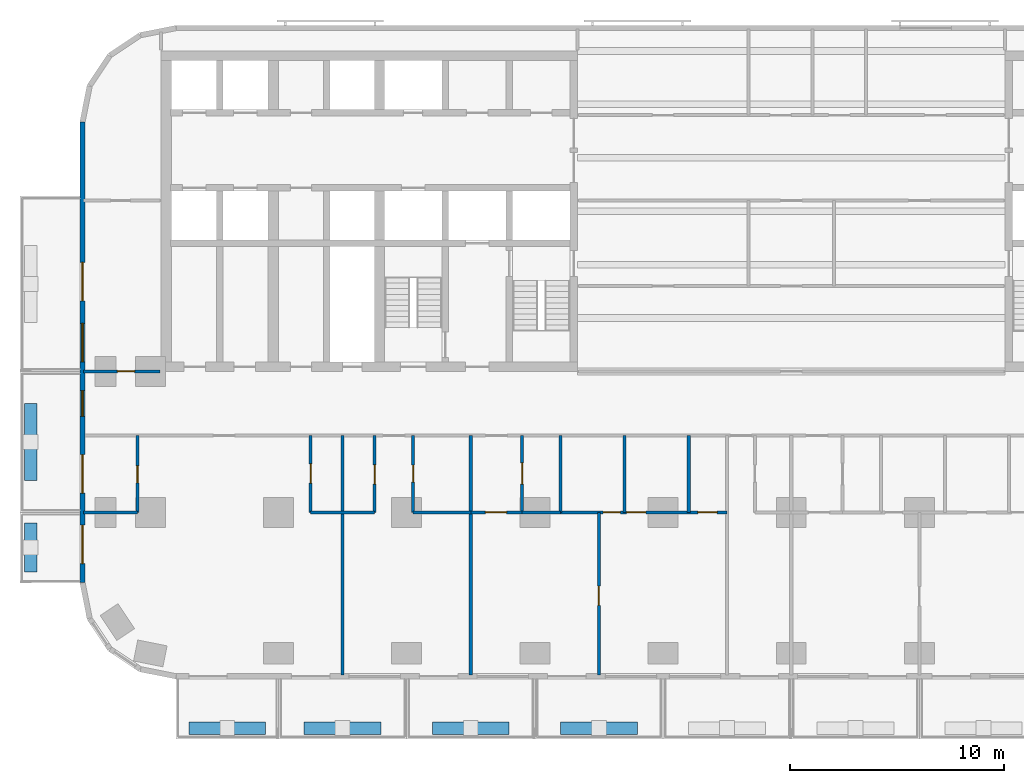
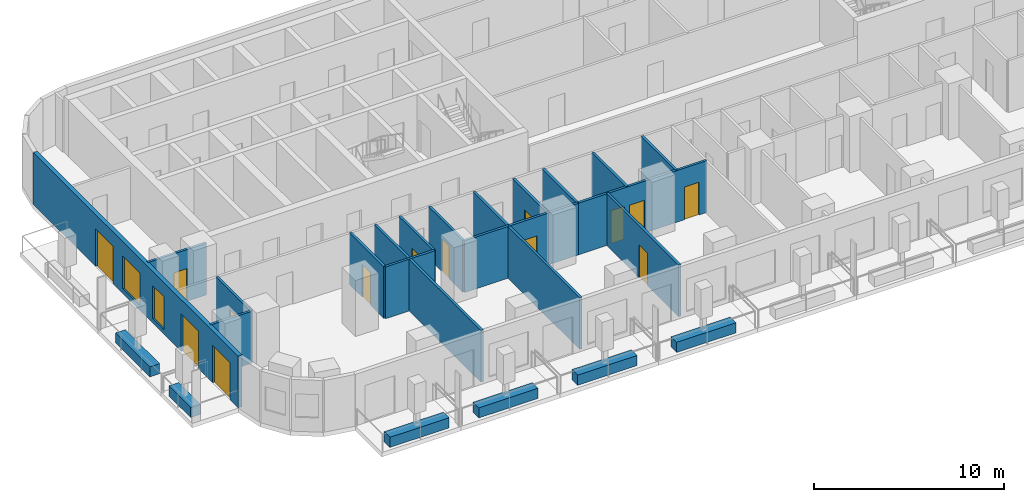
# One storey, part 2 of 14: 26 walls, 14 doors, 2 windows, 16 openings.
"""IFC4 building model written with IfcOpenShell, lengths in metres."""

from ifc_helpers import new_model, si_unit, direction, frame, frame_2d, origin, place, context, subcontext, project, spatial, rectangle, extrude, material, layer, layer_set, type_object, element, fill, save


model = new_model("IFC4")

# Units and contexts
model_context = context("Model", 3, precision=1e-05, world=origin(), true_north=direction((0.0, 1.0)))
body_context = subcontext(model_context, "Body", "Model", "MODEL_VIEW")
ifc_project = project(units=[si_unit("LENGTHUNIT", "METRE"), si_unit("AREAUNIT", "SQUARE_METRE"), si_unit("VOLUMEUNIT", "CUBIC_METRE"), si_unit("PLANEANGLEUNIT", "RADIAN"), si_unit("MASSUNIT", "GRAM", prefix="KILO")], contexts=[model_context])

# Site, building, storey
site_placement = place(None, origin())
site = spatial("IfcSite", under=ifc_project, at=site_placement, CompositionType="ELEMENT")
building_placement = place(site_placement, origin())
building = spatial("IfcBuilding", under=site, at=building_placement, Name="Torana Hotel and Residences", CompositionType="ELEMENT")
storey_placement = place(building_placement, frame((0.0, 0.0, 99.60009765625)))
storey = spatial("IfcBuildingStorey", under=building, at=storey_placement, Name="L25", CompositionType="ELEMENT", Elevation=99.60009765625)

# Wall, openings, doors, windows
ifc_material_1 = material(Name="Black aluminium composite panel", Category="aluminium")
ifc_layer_1 = layer(ifc_material_1, 0.00390625, Name="Cladding", Category="cladding")
ifc_material_2 = material(Name="Ventilated air cavity")
ifc_layer_2 = layer(ifc_material_2, 0.0400390625, Name="Ventilated cavity", Category="cavity")
ifc_material_3 = material(Name="Mineral wool insulation")
ifc_layer_3 = layer(ifc_material_3, 0.090087890625, Name="Insulation", Category="insulation")
ifc_material_4 = material(Name="Steel S280GD", Category="steel")
ifc_layer_4 = layer(ifc_material_4, 0.092041015625, Name="Steel stud frame", Category="structure")
ifc_material_5 = material(Name="Fire rated plasterboard")
ifc_layer_5 = layer(ifc_material_5, 0.011962890625, Name="Inner board", Category="finish")
ifc_layer_6 = layer(ifc_material_5, 0.011962890625, Name="Second board", Category="finish")
ifc_layer_set_1 = layer_set([ifc_layer_1, ifc_layer_2, ifc_layer_3, ifc_layer_4, ifc_layer_5, ifc_layer_6], Name="EW1 EXTERNAL WALL BLACK METAL CLAD 250")
wall_type_1 = type_object("IfcWallType", Name="EW1 EXTERNAL WALL BLACK METAL CLAD 250", PredefinedType="SOLIDWALL", material=ifc_layer_set_1)
wall_1_placement = place(storey_placement, frame((-33.175048828125, -3.32470703125, 0.0), z_axis=(0.0, 0.0, 1.0), x_axis=(0.0, -1.0, 0.0)))
wall_1 = element("IfcWall", 1, at=wall_1_placement, inside=storey, type_object=wall_type_1, Name="External wall L25 e0.9", PredefinedType="SOLIDWALL", context=body_context, shape_type="SweptSolid", body=[
    extrude(rectangle(XDim=21.55078125, YDim=0.25, at=frame_2d((10.775390625, 0.0))), origin(), (0.0, 0.0, 1.0), 3.31982421875),
])
opening_1_placement = place(wall_1_placement, frame((6.575439453125, 0.0, 0.0)))
opening_1 = element("IfcOpeningElement", 2, at=opening_1_placement, cuts=wall_1, Name="Opening L25-E14", PredefinedType="OPENING", context=body_context, shape_type="SweptSolid", body=[
    extrude(rectangle(XDim=1.800048828125, YDim=2.39990234375, at=frame_2d((0.89990234375, 1.199951171875))), frame((0.0, 0.135009765625, 0.0), z_axis=(0.0, -1.0, 0.0), x_axis=(1.0, 0.0, 0.0)), (0.0, 0.0, 1.0), 0.27001953125),
])
opening_2_placement = place(wall_1_placement, frame((9.42529296875, 0.0, 0.300048828125)))
opening_2 = element("IfcOpeningElement", 3, at=opening_2_placement, cuts=wall_1, Name="Opening W2", PredefinedType="OPENING", context=body_context, shape_type="SweptSolid", body=[
    extrude(rectangle(XDim=1.800048828125, YDim=2.10009765625, at=frame_2d((0.89990234375, 1.050048828125))), frame((0.0, 0.135009765625, 0.0), z_axis=(0.0, -1.0, 0.0), x_axis=(1.0, 0.0, 0.0)), (0.0, 0.0, 1.0), 0.27001953125),
])
opening_3_placement = place(wall_1_placement, frame((12.575439453125, 0.0, 0.300048828125)))
opening_3 = element("IfcOpeningElement", 4, at=opening_3_placement, cuts=wall_1, Name="Opening W7", PredefinedType="OPENING", context=body_context, shape_type="SweptSolid", body=[
    extrude(rectangle(XDim=1.199951171875, YDim=2.10009765625, at=frame_2d((0.60009765625, 1.050048828125))), frame((0.0, 0.135009765625, 0.0), z_axis=(0.0, -1.0, 0.0), x_axis=(1.0, 0.0, 0.0)), (0.0, 0.0, 1.0), 0.27001953125),
])
opening_4_placement = place(wall_1_placement, frame((15.575439453125, 0.0, 0.0)))
opening_4 = element("IfcOpeningElement", 5, at=opening_4_placement, cuts=wall_1, Name="Opening L25-E15", PredefinedType="OPENING", context=body_context, shape_type="SweptSolid", body=[
    extrude(rectangle(XDim=1.800048828125, YDim=2.39990234375, at=frame_2d((0.89990234375, 1.199951171875))), frame((0.0, 0.135009765625, 0.0), z_axis=(0.0, -1.0, 0.0), x_axis=(1.0, 0.0, 0.0)), (0.0, 0.0, 1.0), 0.27001953125),
])
opening_5_placement = place(wall_1_placement, frame((18.87548828125, 0.0, 0.0)))
opening_5 = element("IfcOpeningElement", 6, at=opening_5_placement, cuts=wall_1, Name="Opening L25-E16", PredefinedType="OPENING", context=body_context, shape_type="SweptSolid", body=[
    extrude(rectangle(XDim=1.800048828125, YDim=2.39990234375, at=frame_2d((0.89990234375, 1.199951171875))), frame((0.0, 0.135009765625, 0.0), z_axis=(0.0, -1.0, 0.0), x_axis=(1.0, 0.0, 0.0)), (0.0, 0.0, 1.0), 0.27001953125),
])
ifc_material_6 = material(Name="Dark glass in black aluminium frame", Category="aluminium")
door_type_1 = type_object("IfcDoorType", Name="DB1 BALCONY DOOR 1800x2400", OperationType="DOUBLE_DOOR_SINGLE_SWING", PredefinedType="DOOR", material=ifc_material_6)
door_1_placement = place(opening_1_placement, origin())
door_1 = element("IfcDoor", 7, at=door_1_placement, inside=storey, type_object=door_type_1, Name="Balcony door L25", OperationType="DOUBLE_DOOR_SINGLE_SWING", OverallHeight=2.39990234375, OverallWidth=1.800048828125, PredefinedType="DOOR", context=body_context, shape_type="SweptSolid", body=[
    extrude(rectangle(XDim=1.800048828125, YDim=2.39990234375, at=frame_2d((0.89990234375, 1.199951171875))), frame((0.0, 0.02490234375, 0.0), z_axis=(0.0, -1.0, 0.0), x_axis=(1.0, 0.0, 0.0)), (0.0, 0.0, 1.0), 0.050048828125),
])
fill(opening_1, door_1)
door_2_placement = place(opening_4_placement, origin())
door_2 = element("IfcDoor", 8, at=door_2_placement, inside=storey, type_object=door_type_1, Name="Balcony door L25", OperationType="DOUBLE_DOOR_SINGLE_SWING", OverallHeight=2.39990234375, OverallWidth=1.800048828125, PredefinedType="DOOR", context=body_context, shape_type="SweptSolid", body=[
    extrude(rectangle(XDim=1.800048828125, YDim=2.39990234375, at=frame_2d((0.89990234375, 1.199951171875))), frame((0.0, 0.02490234375, 0.0), z_axis=(0.0, -1.0, 0.0), x_axis=(1.0, 0.0, 0.0)), (0.0, 0.0, 1.0), 0.050048828125),
])
fill(opening_4, door_2)
door_3_placement = place(opening_5_placement, frame((0.89990234375, 0.0, 0.0), z_axis=(0.0, 0.0, 1.0), x_axis=(-1.0, 0.0, 0.0)))
door_3 = element("IfcDoor", 9, at=door_3_placement, inside=storey, type_object=door_type_1, Name="Balcony door L25", OperationType="DOUBLE_DOOR_SINGLE_SWING", OverallHeight=2.39990234375, OverallWidth=1.800048828125, PredefinedType="DOOR", context=body_context, shape_type="SweptSolid", body=[
    extrude(rectangle(XDim=1.800048828125, YDim=2.39990234375, at=frame_2d((0.0, 1.199951171875))), frame((0.0, -0.02490234375, 0.0), z_axis=(0.0, 1.0, 0.0), x_axis=(-1.0, 0.0, 0.0)), (0.0, 0.0, 1.0), 0.050048828125),
])
fill(opening_5, door_3)
ifc_material_7 = material(Name="Dark glass in black aluminium frame", Category="aluminium")
window_type_1 = type_object("IfcWindowType", Name="W2 HOTEL ROOM WINDOW NARROW 1800x2100", PartitioningType="SINGLE_PANEL", PredefinedType="WINDOW", material=ifc_material_7)
window_1_placement = place(opening_2_placement, origin())
window_1 = element("IfcWindow", 10, at=window_1_placement, inside=storey, type_object=window_type_1, Name="Window L25", OverallHeight=2.10009765625, OverallWidth=1.800048828125, PartitioningType="SINGLE_PANEL", PredefinedType="WINDOW", context=body_context, shape_type="SweptSolid", body=[
    extrude(rectangle(XDim=1.800048828125, YDim=2.10009765625, at=frame_2d((0.89990234375, 1.050048828125))), frame((0.0, 0.030029296875, 0.0), z_axis=(0.0, -1.0, 0.0), x_axis=(1.0, 0.0, 0.0)), (0.0, 0.0, 1.0), 0.06005859375),
])
fill(opening_2, window_1)
ifc_material_8 = material(Name="Dark glass in black aluminium frame", Category="aluminium")
window_type_2 = type_object("IfcWindowType", Name="W7 HOTEL CORRIDOR WINDOW 1200x2100", PartitioningType="SINGLE_PANEL", PredefinedType="WINDOW", material=ifc_material_8)
window_2_placement = place(opening_3_placement, origin())
window_2 = element("IfcWindow", 11, at=window_2_placement, inside=storey, type_object=window_type_2, Name="Window L25", OverallHeight=2.10009765625, OverallWidth=1.199951171875, PartitioningType="SINGLE_PANEL", PredefinedType="WINDOW", context=body_context, shape_type="SweptSolid", body=[
    extrude(rectangle(XDim=1.199951171875, YDim=2.10009765625, at=frame_2d((0.60009765625, 1.050048828125))), frame((0.0, 0.030029296875, 0.0), z_axis=(0.0, -1.0, 0.0), x_axis=(1.0, 0.0, 0.0)), (0.0, 0.0, 1.0), 0.06005859375),
])
fill(opening_3, window_2)

# Wall, opening, door
ifc_material_9 = material(Name="Gypsum plaster")
ifc_layer_7 = layer(ifc_material_9, 0.014892578125, Name="Plaster", Category="finish")
ifc_material_10 = material(Name="Concrete blockwork", Category="masonry")
ifc_layer_8 = layer(ifc_material_10, 0.1201171875, Name="Blockwork", Category="structure")
ifc_layer_9 = layer(ifc_material_9, 0.014892578125, Name="Plaster", Category="finish")
ifc_layer_set_2 = layer_set([ifc_layer_7, ifc_layer_8, ifc_layer_9], Name="FIRE PARTITION 150 BLOCKWORK")
wall_type_2 = type_object("IfcWallType", Name="FIRE PARTITION 150 BLOCKWORK", PredefinedType="PARTITIONING", material=ifc_layer_set_2)
wall_2_placement = place(storey_placement, frame((-12.60009765625, -21.60009765625, 0.0), z_axis=(0.0, 0.0, 1.0), x_axis=(0.0, 1.0, 0.0)))
wall_2 = element("IfcWall", 12, at=wall_2_placement, inside=storey, type_object=wall_type_2, Name="Partition L25", PredefinedType="PARTITIONING", context=body_context, shape_type="SweptSolid", body=[
    extrude(rectangle(XDim=3.60009765625, YDim=0.14990234375, at=frame_2d((1.800048828125, 0.0))), origin(), (0.0, 0.0, 1.0), 3.31982421875),
])
opening_6_placement = place(wall_2_placement, frame((1.320068359375, 0.0, 0.0)))
opening_6 = element("IfcOpeningElement", 13, at=opening_6_placement, cuts=wall_2, Name="Opening L25-53", PredefinedType="OPENING", context=body_context, shape_type="SweptSolid", body=[
    extrude(rectangle(XDim=1.0, YDim=2.10009765625, at=frame_2d((0.5, 1.050048828125))), frame((0.0, 0.0849609375, 0.0), z_axis=(0.0, -1.0, 0.0), x_axis=(1.0, 0.0, 0.0)), (0.0, 0.0, 1.0), 0.169921875),
])
ifc_material_11 = material(Name="Steel S235", Category="steel")
door_type_2 = type_object("IfcDoorType", Name="ENTRY FIRE DOOR D6 1000x2100", OperationType="SINGLE_SWING_LEFT", PredefinedType="DOOR", material=ifc_material_11)
door_4_placement = place(opening_6_placement, frame((0.5, 0.0, 0.0), z_axis=(0.0, 0.0, 1.0), x_axis=(-1.0, 0.0, 0.0)))
door_4 = element("IfcDoor", 14, at=door_4_placement, inside=storey, type_object=door_type_2, Name="Door L25", OperationType="SINGLE_SWING_LEFT", OverallHeight=2.10009765625, OverallWidth=1.0, PredefinedType="DOOR", context=body_context, shape_type="SweptSolid", body=[
    extrude(rectangle(XDim=1.0, YDim=2.10009765625, at=frame_2d((0.0, 1.050048828125))), frame((0.0, -0.02490234375, 0.0), z_axis=(0.0, 1.0, 0.0), x_axis=(-1.0, 0.0, 0.0)), (0.0, 0.0, 1.0), 0.050048828125),
])
fill(opening_6, door_4)

# Wall
wall_3_placement = place(storey_placement, frame((-15.0, -21.60009765625, 0.0), z_axis=(0.0, 0.0, 1.0), x_axis=(0.0, 1.0, 0.0)))
element("IfcWall", 15, at=wall_3_placement, inside=storey, type_object=wall_type_2, Name="Partition L25", PredefinedType="PARTITIONING", context=body_context, shape_type="SweptSolid", body=[
    extrude(rectangle(XDim=3.60009765625, YDim=0.14990234375, at=frame_2d((1.800048828125, 0.0))), origin(), (0.0, 0.0, 1.0), 3.31982421875),
])

# Wall, opening, door
wall_4_placement = place(storey_placement, frame((-15.0, -21.60009765625, 0.0), z_axis=(0.0, 0.0, 1.0), x_axis=(1.0, 0.0, 0.0)))
wall_4 = element("IfcWall", 16, at=wall_4_placement, inside=storey, type_object=wall_type_2, Name="Partition L25", PredefinedType="PARTITIONING", context=body_context, shape_type="SweptSolid", body=[
    extrude(rectangle(XDim=2.39990234375, YDim=0.14990234375, at=frame_2d((1.199951171875, 0.0))), origin(), (0.0, 0.0, 1.0), 3.31982421875),
])
opening_7_placement = place(wall_4_placement, frame((0.679931640625, 0.0, 0.0)))
opening_7 = element("IfcOpeningElement", 17, at=opening_7_placement, cuts=wall_4, Name="Opening L25-54", PredefinedType="OPENING", context=body_context, shape_type="SweptSolid", body=[
    extrude(rectangle(XDim=1.0, YDim=2.10009765625, at=frame_2d((0.5, 1.050048828125))), frame((0.0, 0.0849609375, 0.0), z_axis=(0.0, -1.0, 0.0), x_axis=(1.0, 0.0, 0.0)), (0.0, 0.0, 1.0), 0.169921875),
])
door_5_placement = place(opening_7_placement, frame((0.5, 0.0, 0.0), z_axis=(0.0, 0.0, 1.0), x_axis=(-1.0, 0.0, 0.0)))
door_5 = element("IfcDoor", 18, at=door_5_placement, inside=storey, type_object=door_type_2, Name="Door L25", OperationType="SINGLE_SWING_LEFT", OverallHeight=2.10009765625, OverallWidth=1.0, PredefinedType="DOOR", context=body_context, shape_type="SweptSolid", body=[
    extrude(rectangle(XDim=1.0, YDim=2.10009765625, at=frame_2d((0.0, 1.050048828125))), frame((0.0, -0.02490234375, 0.0), z_axis=(0.0, 1.0, 0.0), x_axis=(-1.0, 0.0, 0.0)), (0.0, 0.0, 1.0), 0.050048828125),
])
fill(opening_7, door_5)

wall_5_placement = place(storey_placement, frame((-33.1201171875, -15.0, 0.0), z_axis=(0.0, 0.0, 1.0), x_axis=(1.0, 0.0, 0.0)))
wall_5 = element("IfcWall", 19, at=wall_5_placement, inside=storey, type_object=wall_type_2, Name="Partition L25", PredefinedType="PARTITIONING", context=body_context, shape_type="SweptSolid", body=[
    extrude(rectangle(XDim=3.570068359375, YDim=0.14990234375, at=frame_2d((1.78515625, 0.0))), origin(), (0.0, 0.0, 1.0), 3.31982421875),
])
opening_8_placement = place(wall_5_placement, frame((1.580078125, 0.0, 0.0)))
opening_8 = element("IfcOpeningElement", 20, at=opening_8_placement, cuts=wall_5, Name="Opening L25-41", PredefinedType="OPENING", context=body_context, shape_type="SweptSolid", body=[
    extrude(rectangle(XDim=0.800048828125, YDim=2.10009765625, at=frame_2d((0.39990234375, 1.050048828125))), frame((0.0, 0.0849609375, 0.0), z_axis=(0.0, -1.0, 0.0), x_axis=(1.0, 0.0, 0.0)), (0.0, 0.0, 1.0), 0.169921875),
])
ifc_material_12 = material(Name="Steel S235", Category="steel")
door_type_3 = type_object("IfcDoorType", Name="STORE FIRE DOOR D16 800x2100", OperationType="SINGLE_SWING_LEFT", PredefinedType="DOOR", material=ifc_material_12)
door_6_placement = place(opening_8_placement, origin())
door_6 = element("IfcDoor", 21, at=door_6_placement, inside=storey, type_object=door_type_3, Name="Door L25", OperationType="SINGLE_SWING_RIGHT", OverallHeight=2.10009765625, OverallWidth=0.800048828125, PredefinedType="DOOR", context=body_context, shape_type="SweptSolid", body=[
    extrude(rectangle(XDim=0.800048828125, YDim=2.10009765625, at=frame_2d((0.39990234375, 1.050048828125))), frame((0.0, 0.02490234375, 0.0), z_axis=(0.0, -1.0, 0.0), x_axis=(1.0, 0.0, 0.0)), (0.0, 0.0, 1.0), 0.050048828125),
])
fill(opening_8, door_6)

# Walls
ifc_material_13 = material(Name="Gypsum plasterboard")
ifc_layer_10 = layer(ifc_material_13, 0.012451171875, Name="Plasterboard", Category="finish")
ifc_layer_11 = layer(ifc_material_13, 0.012451171875, Name="Plasterboard", Category="finish")
ifc_layer_12 = layer(ifc_material_4, 0.10009765625, Name="Steel studs with mineral wool", Category="insulation")
ifc_layer_13 = layer(ifc_material_13, 0.012451171875, Name="Plasterboard", Category="finish")
ifc_layer_14 = layer(ifc_material_13, 0.012451171875, Name="Plasterboard", Category="finish")
ifc_layer_set_3 = layer_set([ifc_layer_10, ifc_layer_11, ifc_layer_12, ifc_layer_13, ifc_layer_14], Name="PARTITION 150 PLASTERBOARD")
wall_type_3 = type_object("IfcWallType", Name="PARTITION 150 PLASTERBOARD", PredefinedType="PARTITIONING", material=ifc_layer_set_3)
for number, where, z_axis, x_axis, name in (
    (22, (-4.800048828125, -21.60009765625, 0.0), (0.0, 0.0, 1.0), (0.0, 1.0, 0.0), "Partition L25"),
    (23, (-7.800048828125, -21.60009765625, 0.0), (0.0, 0.0, 1.0), (0.0, 1.0, 0.0), "Partition L25"),
):
    element("IfcWall", number, at=place(storey_placement, frame(where, z_axis=z_axis, x_axis=x_axis)), inside=storey, type_object=wall_type_3, Name=name, PredefinedType="PARTITIONING", context=body_context, shape_type="SweptSolid", body=[
        extrude(rectangle(XDim=3.60009765625, YDim=0.14990234375, at=frame_2d((1.800048828125, 0.0))), origin(), (0.0, 0.0, 1.0), 3.31982421875),
    ])

# Wall, opening, door
wall_6_placement = place(storey_placement, frame((-9.0, -29.219970703125, 0.0), z_axis=(0.0, 0.0, 1.0), x_axis=(0.0, 1.0, 0.0)))
wall_6 = element("IfcWall", 24, at=wall_6_placement, inside=storey, type_object=wall_type_3, Name="Partition L25", PredefinedType="PARTITIONING", context=body_context, shape_type="SweptSolid", body=[
    extrude(rectangle(XDim=7.619873046875, YDim=0.14990234375, at=frame_2d((3.81005859375, 0.0))), origin(), (0.0, 0.0, 1.0), 3.31982421875),
])
opening_9_placement = place(wall_6_placement, frame((3.27001953125, 0.0, 0.0)))
opening_9 = element("IfcOpeningElement", 25, at=opening_9_placement, cuts=wall_6, Name="Opening L25-58", PredefinedType="OPENING", context=body_context, shape_type="SweptSolid", body=[
    extrude(rectangle(XDim=0.89990234375, YDim=2.10009765625, at=frame_2d((0.449951171875, 1.050048828125))), frame((0.0, 0.0849609375, 0.0), z_axis=(0.0, -1.0, 0.0), x_axis=(1.0, 0.0, 0.0)), (0.0, 0.0, 1.0), 0.169921875),
])
ifc_material_14 = material(Name="Timber door, oiled ash", Category="wood")
door_type_4 = type_object("IfcDoorType", Name="ROOM DOOR D7 900x2100", OperationType="SINGLE_SWING_LEFT", PredefinedType="DOOR", material=ifc_material_14)
door_7_placement = place(opening_9_placement, origin())
door_7 = element("IfcDoor", 26, at=door_7_placement, inside=storey, type_object=door_type_4, Name="Door L25", OperationType="SINGLE_SWING_RIGHT", OverallHeight=2.10009765625, OverallWidth=0.89990234375, PredefinedType="DOOR", context=body_context, shape_type="SweptSolid", body=[
    extrude(rectangle(XDim=0.89990234375, YDim=2.10009765625, at=frame_2d((0.449951171875, 1.050048828125))), frame((0.0, 0.02490234375, 0.0), z_axis=(0.0, -1.0, 0.0), x_axis=(1.0, 0.0, 0.0)), (0.0, 0.0, 1.0), 0.050048828125),
])
fill(opening_9, door_7)

# Wall
wall_7_placement = place(storey_placement, frame((-15.0, -29.219970703125, 0.0), z_axis=(0.0, 0.0, 1.0), x_axis=(0.0, 1.0, 0.0)))
element("IfcWall", 27, at=wall_7_placement, inside=storey, type_object=wall_type_3, Name="Partition L25", PredefinedType="PARTITIONING", context=body_context, shape_type="SweptSolid", body=[
    extrude(rectangle(XDim=7.619873046875, YDim=0.14990234375, at=frame_2d((3.81005859375, 0.0))), origin(), (0.0, 0.0, 1.0), 3.31982421875),
])

# Wall, opening, door
wall_8_placement = place(storey_placement, frame((-17.699951171875, -21.60009765625, 0.0), z_axis=(0.0, 0.0, 1.0), x_axis=(0.0, 1.0, 0.0)))
wall_8 = element("IfcWall", 28, at=wall_8_placement, inside=storey, type_object=wall_type_3, Name="Partition L25", PredefinedType="PARTITIONING", context=body_context, shape_type="SweptSolid", body=[
    extrude(rectangle(XDim=3.60009765625, YDim=0.14990234375, at=frame_2d((1.800048828125, 0.0))), origin(), (0.0, 0.0, 1.0), 3.31982421875),
])
opening_10_placement = place(wall_8_placement, frame((1.419921875, 0.0, 0.0)))
opening_10 = element("IfcOpeningElement", 29, at=opening_10_placement, cuts=wall_8, Name="Opening L25-52", PredefinedType="OPENING", context=body_context, shape_type="SweptSolid", body=[
    extrude(rectangle(XDim=0.800048828125, YDim=2.10009765625, at=frame_2d((0.39990234375, 1.050048828125))), frame((0.0, 0.0849609375, 0.0), z_axis=(0.0, -1.0, 0.0), x_axis=(1.0, 0.0, 0.0)), (0.0, 0.0, 1.0), 0.169921875),
])
ifc_material_15 = material(Name="Timber door, painted", Category="wood")
door_type_5 = type_object("IfcDoorType", Name="BATH DOOR D13 800x2100", OperationType="SINGLE_SWING_LEFT", PredefinedType="DOOR", material=ifc_material_15)
door_8_placement = place(opening_10_placement, origin())
door_8 = element("IfcDoor", 30, at=door_8_placement, inside=storey, type_object=door_type_5, Name="Door L25", OperationType="SINGLE_SWING_RIGHT", OverallHeight=2.10009765625, OverallWidth=0.800048828125, PredefinedType="DOOR", context=body_context, shape_type="SweptSolid", body=[
    extrude(rectangle(XDim=0.800048828125, YDim=2.10009765625, at=frame_2d((0.39990234375, 1.050048828125))), frame((0.0, 0.02490234375, 0.0), z_axis=(0.0, -1.0, 0.0), x_axis=(1.0, 0.0, 0.0)), (0.0, 0.0, 1.0), 0.050048828125),
])
fill(opening_10, door_8)

wall_9_placement = place(storey_placement, frame((-19.5, -21.60009765625, 0.0), z_axis=(0.0, 0.0, 1.0), x_axis=(0.0, 1.0, 0.0)))
wall_9 = element("IfcWall", 31, at=wall_9_placement, inside=storey, type_object=wall_type_3, Name="Partition L25", PredefinedType="PARTITIONING", context=body_context, shape_type="SweptSolid", body=[
    extrude(rectangle(XDim=3.60009765625, YDim=0.14990234375, at=frame_2d((1.800048828125, 0.0))), origin(), (0.0, 0.0, 1.0), 3.31982421875),
])
opening_11_placement = place(wall_9_placement, frame((1.330078125, 0.0, 0.0)))
opening_11 = element("IfcOpeningElement", 32, at=opening_11_placement, cuts=wall_9, Name="Opening L25-51", PredefinedType="OPENING", context=body_context, shape_type="SweptSolid", body=[
    extrude(rectangle(XDim=0.89990234375, YDim=2.10009765625, at=frame_2d((0.449951171875, 1.050048828125))), frame((0.0, 0.0849609375, 0.0), z_axis=(0.0, -1.0, 0.0), x_axis=(1.0, 0.0, 0.0)), (0.0, 0.0, 1.0), 0.169921875),
])
door_9_placement = place(opening_11_placement, origin())
door_9 = element("IfcDoor", 33, at=door_9_placement, inside=storey, type_object=door_type_4, Name="Door L25", OperationType="SINGLE_SWING_RIGHT", OverallHeight=2.10009765625, OverallWidth=0.89990234375, PredefinedType="DOOR", context=body_context, shape_type="SweptSolid", body=[
    extrude(rectangle(XDim=0.89990234375, YDim=2.10009765625, at=frame_2d((0.449951171875, 1.050048828125))), frame((0.0, 0.02490234375, 0.0), z_axis=(0.0, -1.0, 0.0), x_axis=(1.0, 0.0, 0.0)), (0.0, 0.0, 1.0), 0.050048828125),
])
fill(opening_11, door_9)

# Wall
wall_10_placement = place(storey_placement, frame((-21.0, -29.219970703125, 0.0), z_axis=(0.0, 0.0, 1.0), x_axis=(0.0, 1.0, 0.0)))
element("IfcWall", 34, at=wall_10_placement, inside=storey, type_object=wall_type_3, Name="Partition L25", PredefinedType="PARTITIONING", context=body_context, shape_type="SweptSolid", body=[
    extrude(rectangle(XDim=11.219970703125, YDim=0.14990234375, at=frame_2d((5.60986328125, 0.0))), origin(), (0.0, 0.0, 1.0), 3.31982421875),
])

# Wall, opening, door
wall_11_placement = place(storey_placement, frame((-22.5, -21.60009765625, 0.0), z_axis=(0.0, 0.0, 1.0), x_axis=(0.0, 1.0, 0.0)))
wall_11 = element("IfcWall", 35, at=wall_11_placement, inside=storey, type_object=wall_type_3, Name="Partition L25", PredefinedType="PARTITIONING", context=body_context, shape_type="SweptSolid", body=[
    extrude(rectangle(XDim=3.60009765625, YDim=0.14990234375, at=frame_2d((1.800048828125, 0.0))), origin(), (0.0, 0.0, 1.0), 3.31982421875),
])
opening_12_placement = place(wall_11_placement, frame((1.3701171875, 0.0, 0.0)))
opening_12 = element("IfcOpeningElement", 36, at=opening_12_placement, cuts=wall_11, Name="Opening L25-67", PredefinedType="OPENING", context=body_context, shape_type="SweptSolid", body=[
    extrude(rectangle(XDim=0.89990234375, YDim=2.10009765625, at=frame_2d((0.449951171875, 1.050048828125))), frame((0.0, 0.0849609375, 0.0), z_axis=(0.0, -1.0, 0.0), x_axis=(1.0, 0.0, 0.0)), (0.0, 0.0, 1.0), 0.169921875),
])
door_10_placement = place(opening_12_placement, origin())
door_10 = element("IfcDoor", 37, at=door_10_placement, inside=storey, type_object=door_type_4, Name="Door L25", OperationType="SINGLE_SWING_LEFT", OverallHeight=2.10009765625, OverallWidth=0.89990234375, PredefinedType="DOOR", context=body_context, shape_type="SweptSolid", body=[
    extrude(rectangle(XDim=0.89990234375, YDim=2.10009765625, at=frame_2d((0.449951171875, 1.050048828125))), frame((0.0, 0.02490234375, 0.0), z_axis=(0.0, -1.0, 0.0), x_axis=(1.0, 0.0, 0.0)), (0.0, 0.0, 1.0), 0.050048828125),
])
fill(opening_12, door_10)

wall_12_placement = place(storey_placement, frame((-30.60009765625, -21.60009765625, 0.0), z_axis=(0.0, 0.0, 1.0), x_axis=(0.0, 1.0, 0.0)))
wall_12 = element("IfcWall", 38, at=wall_12_placement, inside=storey, type_object=wall_type_3, Name="Partition L25", PredefinedType="PARTITIONING", context=body_context, shape_type="SweptSolid", body=[
    extrude(rectangle(XDim=3.60009765625, YDim=0.14990234375, at=frame_2d((1.800048828125, 0.0))), origin(), (0.0, 0.0, 1.0), 3.31982421875),
])
opening_13_placement = place(wall_12_placement, frame((1.3798828125, 0.0, 0.0)))
opening_13 = element("IfcOpeningElement", 39, at=opening_13_placement, cuts=wall_12, Name="Opening L25-68", PredefinedType="OPENING", context=body_context, shape_type="SweptSolid", body=[
    extrude(rectangle(XDim=0.800048828125, YDim=2.10009765625, at=frame_2d((0.39990234375, 1.050048828125))), frame((0.0, 0.0849609375, 0.0), z_axis=(0.0, -1.0, 0.0), x_axis=(1.0, 0.0, 0.0)), (0.0, 0.0, 1.0), 0.169921875),
])
door_11_placement = place(opening_13_placement, origin())
door_11 = element("IfcDoor", 40, at=door_11_placement, inside=storey, type_object=door_type_5, Name="Door L25", OperationType="SINGLE_SWING_RIGHT", OverallHeight=2.10009765625, OverallWidth=0.800048828125, PredefinedType="DOOR", context=body_context, shape_type="SweptSolid", body=[
    extrude(rectangle(XDim=0.800048828125, YDim=2.10009765625, at=frame_2d((0.39990234375, 1.050048828125))), frame((0.0, 0.02490234375, 0.0), z_axis=(0.0, -1.0, 0.0), x_axis=(1.0, 0.0, 0.0)), (0.0, 0.0, 1.0), 0.050048828125),
])
fill(opening_13, door_11)

# Walls
wall_13_placement = place(storey_placement, frame((-33.1201171875, -21.60009765625, 0.0), z_axis=(0.0, 0.0, 1.0), x_axis=(1.0, 0.0, 0.0)))
element("IfcWall", 41, at=wall_13_placement, inside=storey, type_object=wall_type_3, Name="Partition L25", PredefinedType="PARTITIONING", context=body_context, shape_type="SweptSolid", body=[
    extrude(rectangle(XDim=2.52001953125, YDim=0.14990234375, at=frame_2d((1.260009765625, 0.0))), origin(), (0.0, 0.0, 1.0), 3.31982421875),
])
wall_14_placement = place(storey_placement, frame((-22.5, -21.60009765625, 0.0), z_axis=(0.0, 0.0, 1.0), x_axis=(1.0, 0.0, 0.0)))
element("IfcWall", 42, at=wall_14_placement, inside=storey, type_object=wall_type_3, Name="Partition L25", PredefinedType="PARTITIONING", context=body_context, shape_type="SweptSolid", body=[
    extrude(rectangle(XDim=3.0, YDim=0.14990234375, at=frame_2d((1.5, 0.0))), origin(), (0.0, 0.0, 1.0), 3.31982421875),
])
wall_15_placement = place(storey_placement, frame((-17.699951171875, -21.60009765625, 0.0), z_axis=(0.0, 0.0, 1.0), x_axis=(1.0, 0.0, 0.0)))
element("IfcWall", 43, at=wall_15_placement, inside=storey, type_object=wall_type_3, Name="Partition L25", PredefinedType="PARTITIONING", context=body_context, shape_type="SweptSolid", body=[
    extrude(rectangle(XDim=2.699951171875, YDim=0.14990234375, at=frame_2d((1.35009765625, 0.0))), origin(), (0.0, 0.0, 1.0), 3.31982421875),
])

# Wall, openings, doors
wall_16_placement = place(storey_placement, frame((-10.800048828125, -21.60009765625, 0.0), z_axis=(0.0, 0.0, 1.0), x_axis=(1.0, 0.0, 0.0)))
wall_16 = element("IfcWall", 44, at=wall_16_placement, inside=storey, type_object=wall_type_3, Name="Partition L25", PredefinedType="PARTITIONING", context=body_context, shape_type="SweptSolid", body=[
    extrude(rectangle(XDim=7.800048828125, YDim=0.14990234375, at=frame_2d((3.89990234375, 0.0))), origin(), (0.0, 0.0, 1.0), 3.31982421875),
])
opening_14_placement = place(wall_16_placement, frame((1.9990234375, 0.0, 0.0)))
opening_14 = element("IfcOpeningElement", 45, at=opening_14_placement, cuts=wall_16, Name="Opening L25-55", PredefinedType="OPENING", context=body_context, shape_type="SweptSolid", body=[
    extrude(rectangle(XDim=0.800048828125, YDim=2.10009765625, at=frame_2d((0.39990234375, 1.050048828125))), frame((0.0, 0.0849609375, 0.0), z_axis=(0.0, -1.0, 0.0), x_axis=(1.0, 0.0, 0.0)), (0.0, 0.0, 1.0), 0.169921875),
])
opening_15_placement = place(wall_16_placement, frame((3.10009765625, 0.0, 0.0)))
opening_15 = element("IfcOpeningElement", 46, at=opening_15_placement, cuts=wall_16, Name="Opening L25-56", PredefinedType="OPENING", context=body_context, shape_type="SweptSolid", body=[
    extrude(rectangle(XDim=0.89990234375, YDim=2.10009765625, at=frame_2d((0.449951171875, 1.050048828125))), frame((0.0, 0.0849609375, 0.0), z_axis=(0.0, -1.0, 0.0), x_axis=(1.0, 0.0, 0.0)), (0.0, 0.0, 1.0), 0.169921875),
])
opening_16_placement = place(wall_16_placement, frame((6.429931640625, 0.0, 0.0)))
opening_16 = element("IfcOpeningElement", 47, at=opening_16_placement, cuts=wall_16, Name="Opening L25-57", PredefinedType="OPENING", context=body_context, shape_type="SweptSolid", body=[
    extrude(rectangle(XDim=0.89990234375, YDim=2.10009765625, at=frame_2d((0.449951171875, 1.050048828125))), frame((0.0, 0.0849609375, 0.0), z_axis=(0.0, -1.0, 0.0), x_axis=(1.0, 0.0, 0.0)), (0.0, 0.0, 1.0), 0.169921875),
])
door_12_placement = place(opening_14_placement, origin())
door_12 = element("IfcDoor", 48, at=door_12_placement, inside=storey, type_object=door_type_5, Name="Door L25", OperationType="SINGLE_SWING_LEFT", OverallHeight=2.10009765625, OverallWidth=0.800048828125, PredefinedType="DOOR", context=body_context, shape_type="SweptSolid", body=[
    extrude(rectangle(XDim=0.800048828125, YDim=2.10009765625, at=frame_2d((0.39990234375, 1.050048828125))), frame((0.0, 0.02490234375, 0.0), z_axis=(0.0, -1.0, 0.0), x_axis=(1.0, 0.0, 0.0)), (0.0, 0.0, 1.0), 0.050048828125),
])
fill(opening_14, door_12)
door_13_placement = place(opening_15_placement, frame((0.449951171875, 0.0, 0.0), z_axis=(0.0, 0.0, 1.0), x_axis=(-1.0, 0.0, 0.0)))
door_13 = element("IfcDoor", 49, at=door_13_placement, inside=storey, type_object=door_type_4, Name="Door L25", OperationType="SINGLE_SWING_RIGHT", OverallHeight=2.10009765625, OverallWidth=0.89990234375, PredefinedType="DOOR", context=body_context, shape_type="SweptSolid", body=[
    extrude(rectangle(XDim=0.89990234375, YDim=2.10009765625, at=frame_2d((0.0, 1.050048828125))), frame((0.0, -0.02490234375, 0.0), z_axis=(0.0, 1.0, 0.0), x_axis=(-1.0, 0.0, 0.0)), (0.0, 0.0, 1.0), 0.050048828125),
])
fill(opening_15, door_13)
door_14_placement = place(opening_16_placement, origin())
door_14 = element("IfcDoor", 50, at=door_14_placement, inside=storey, type_object=door_type_4, Name="Door L25", OperationType="SINGLE_SWING_RIGHT", OverallHeight=2.10009765625, OverallWidth=0.89990234375, PredefinedType="DOOR", context=body_context, shape_type="SweptSolid", body=[
    extrude(rectangle(XDim=0.89990234375, YDim=2.10009765625, at=frame_2d((0.449951171875, 1.050048828125))), frame((0.0, 0.02490234375, 0.0), z_axis=(0.0, -1.0, 0.0), x_axis=(1.0, 0.0, 0.0)), (0.0, 0.0, 1.0), 0.050048828125),
])
fill(opening_16, door_14)

# Walls
ifc_material_16 = material(Name="Concrete C40/50 precast", Category="concrete")
ifc_layer_15 = layer(ifc_material_16, 0.10009765625, Name="Planter shell", Category="structure")
ifc_material_17 = material(Name="Root resistant membrane")
ifc_layer_16 = layer(ifc_material_17, 0.00390625, Name="Waterproofing membrane", Category="membrane")
ifc_material_18 = material(Name="Drainage board with filter fleece")
ifc_layer_17 = layer(ifc_material_18, 0.02001953125, Name="Drainage board", Category="drainage")
ifc_material_19 = material(Name="Growing medium")
ifc_layer_18 = layer(ifc_material_19, 0.47607421875, Name="Planting substrate", Category="soil")
ifc_layer_set_4 = layer_set([ifc_layer_15, ifc_layer_16, ifc_layer_17, ifc_layer_18], Name="PL1 BALCONY PLANTER 600")
wall_type_4 = type_object("IfcWallType", Name="PL1 BALCONY PLANTER 600", PredefinedType="USERDEFINED", material=ifc_layer_set_4)
wall_17_placement = place(storey_placement, frame((-24.60009765625, -31.699951171875, 0.0), z_axis=(0.0, 0.0, 1.0), x_axis=(-1.0, 0.0, 0.0)))
element("IfcWall", 51, at=wall_17_placement, inside=storey, type_object=wall_type_4, Name="Planter 01", ObjectType="PLANTER", PredefinedType="USERDEFINED", context=body_context, shape_type="SweptSolid", body=[
    extrude(rectangle(XDim=3.599853515625, YDim=0.60009765625, at=frame_2d((1.7998046875, 0.0))), origin(), (0.0, 0.0, 1.0), 0.64990234375),
])
for number, where, z_axis, x_axis, name in (
    (52, (-19.199951171875, -31.699951171875, 0.0), (0.0, 0.0, 1.0), (-1.0, 0.0, 0.0), "Planter 02"),
    (53, (-13.199951171875, -31.699951171875, 0.0), (0.0, 0.0, 1.0), (-1.0, 0.0, 0.0), "Planter 03"),
    (54, (-7.199951171875, -31.699951171875, 0.0), (0.0, 0.0, 1.0), (-1.0, 0.0, 0.0), "Planter 04"),
):
    element("IfcWall", number, at=place(storey_placement, frame(where, z_axis=z_axis, x_axis=x_axis)), inside=storey, type_object=wall_type_4, Name=name, ObjectType="PLANTER", PredefinedType="USERDEFINED", context=body_context, shape_type="SweptSolid", body=[
        extrude(rectangle(XDim=3.60009765625, YDim=0.60009765625, at=frame_2d((1.800048828125, 0.0))), origin(), (0.0, 0.0, 1.0), 0.64990234375),
    ])
wall_18_placement = place(storey_placement, frame((-35.60009765625, -24.39990234375, 0.0), z_axis=(0.0, 0.0, 1.0), x_axis=(0.0, 1.0, 0.0)))
element("IfcWall", 55, at=wall_18_placement, inside=storey, type_object=wall_type_4, Name="Planter 11", ObjectType="PLANTER", PredefinedType="USERDEFINED", context=body_context, shape_type="SweptSolid", body=[
    extrude(rectangle(XDim=2.2998046875, YDim=0.60009765625, at=frame_2d((1.14990234375, 0.0))), origin(), (0.0, 0.0, 1.0), 0.64990234375),
])
wall_19_placement = place(storey_placement, frame((-35.60009765625, -20.10009765625, 0.0), z_axis=(0.0, 0.0, 1.0), x_axis=(0.0, 1.0, 0.0)))
element("IfcWall", 56, at=wall_19_placement, inside=storey, type_object=wall_type_4, Name="Planter 12", ObjectType="PLANTER", PredefinedType="USERDEFINED", context=body_context, shape_type="SweptSolid", body=[
    extrude(rectangle(XDim=3.60009765625, YDim=0.60009765625, at=frame_2d((1.800048828125, 0.0))), origin(), (0.0, 0.0, 1.0), 0.64990234375),
])
ifc_material_20 = material(Name="Ceramic tile on adhesive")
ifc_layer_19 = layer(ifc_material_20, 0.010009765625, Name="Wall tile", Category="finish")
ifc_material_21 = material(Name="Cement render")
ifc_layer_20 = layer(ifc_material_21, 0.010009765625, Name="Render", Category="finish")
ifc_layer_21 = layer(ifc_material_10, 0.110107421875, Name="Blockwork", Category="structure")
ifc_layer_22 = layer(ifc_material_21, 0.010009765625, Name="Render", Category="finish")
ifc_layer_23 = layer(ifc_material_20, 0.010009765625, Name="Wall tile", Category="finish")
ifc_layer_set_5 = layer_set([ifc_layer_19, ifc_layer_20, ifc_layer_21, ifc_layer_22, ifc_layer_23], Name="WC PARTITION 150")
wall_type_5 = type_object("IfcWallType", Name="WC PARTITION 150", PredefinedType="PLUMBINGWALL", material=ifc_layer_set_5)
wall_20_placement = place(storey_placement, frame((-10.800048828125, -21.60009765625, 0.0), z_axis=(0.0, 0.0, 1.0), x_axis=(0.0, 1.0, 0.0)))
element("IfcWall", 57, at=wall_20_placement, inside=storey, type_object=wall_type_5, Name="Partition L25", PredefinedType="PLUMBINGWALL", context=body_context, shape_type="SweptSolid", body=[
    extrude(rectangle(XDim=3.60009765625, YDim=0.14990234375, at=frame_2d((1.800048828125, 0.0))), origin(), (0.0, 0.0, 1.0), 3.31982421875),
])
wall_21_placement = place(storey_placement, frame((-12.60009765625, -21.60009765625, 0.0), z_axis=(0.0, 0.0, 1.0), x_axis=(1.0, 0.0, 0.0)))
element("IfcWall", 58, at=wall_21_placement, inside=storey, type_object=wall_type_5, Name="Partition L25", PredefinedType="PLUMBINGWALL", context=body_context, shape_type="SweptSolid", body=[
    extrude(rectangle(XDim=1.800048828125, YDim=0.14990234375, at=frame_2d((0.89990234375, 0.0))), origin(), (0.0, 0.0, 1.0), 3.31982421875),
])

save(model, "model.ifc")
